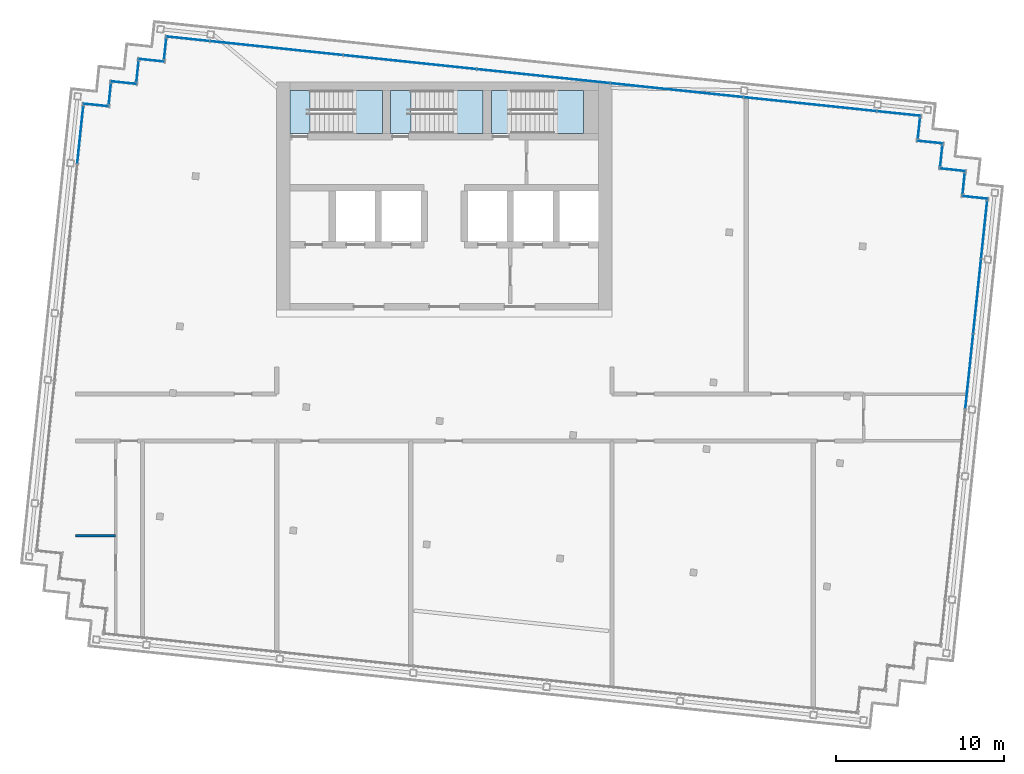
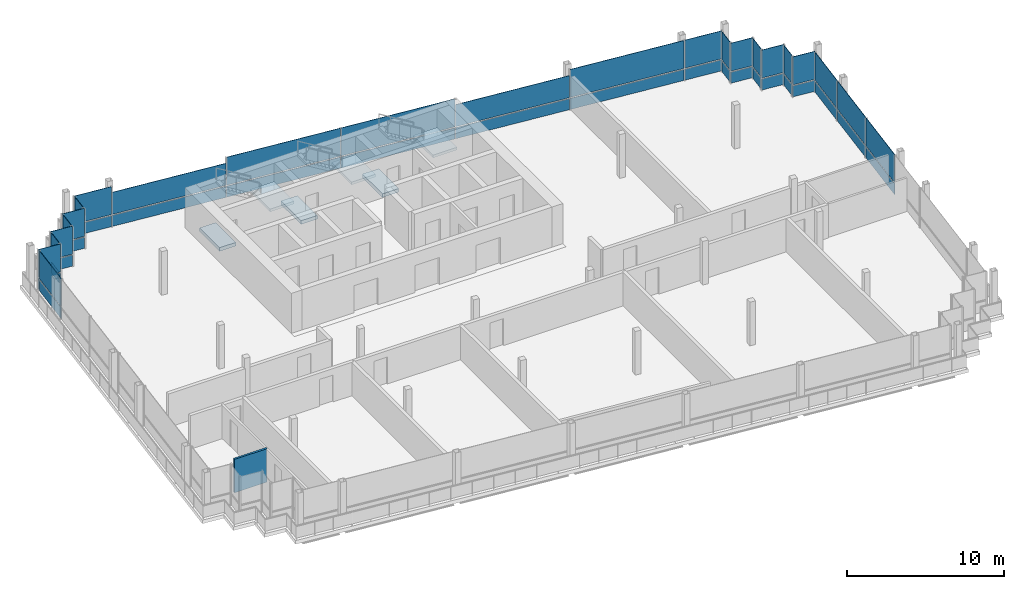
# One storey, part 10 of 15: 46 plates, 6 slabs, 1 wall, 18 elements without a shape of their own.
"""IFC4 building model written with IfcOpenShell, lengths in metres."""

from ifc_helpers import new_model, si_unit, direction, frame, frame_2d, origin, origin_2d, place, context, subcontext, project, spatial, polyline, rectangle, outline, extrude, material, layer, layer_set, type_object, element, aggregate, save


model = new_model("IFC4")

# Units and contexts
model_context = context("Model", 3, precision=1e-05, world=origin(), true_north=direction((0.0, 1.0)))
body_context = subcontext(model_context, "Body", "Model", "MODEL_VIEW")
ifc_project = project(units=[si_unit("LENGTHUNIT", "METRE"), si_unit("AREAUNIT", "SQUARE_METRE"), si_unit("VOLUMEUNIT", "CUBIC_METRE"), si_unit("PLANEANGLEUNIT", "RADIAN"), si_unit("MASSUNIT", "GRAM", prefix="KILO")], contexts=[model_context])

# Site, building, storey
site_placement = place(None, origin())
site = spatial("IfcSite", under=ifc_project, at=site_placement, CompositionType="ELEMENT")
building_placement = place(site_placement, origin())
building = spatial("IfcBuilding", under=site, at=building_placement, Name="Vidyagriha Tower", CompositionType="ELEMENT")
storey_placement = place(building_placement, frame((0.0, 0.0, 294.89990234375)))
storey = spatial("IfcBuildingStorey", under=building, at=storey_placement, Name="L76", CompositionType="ELEMENT", Elevation=294.89990234375)

# Curtain wall, plates
ifc_material_1 = material(Name="Aluminium and glass curtain wall", Category="aluminium")
curtain_wall_type = type_object("IfcCurtainWallType", Name="Lantern glazing wall", PredefinedType="USERDEFINED", material=ifc_material_1)
curtain_wall_1_placement = place(storey_placement, origin())
curtain_wall_1 = element("IfcCurtainWall", 1, at=curtain_wall_1_placement, inside=storey, type_object=curtain_wall_type, Name="CW4 lantern glazing", ObjectType="STICK GLAZING", PredefinedType="USERDEFINED")
ifc_material_2 = material(Name="Glass clear low-iron", Category="glass")
ifc_layer_1 = layer(ifc_material_2, 0.031982421875)
ifc_layer_set_1 = layer_set([ifc_layer_1], Name="Glass clear low-iron")
plate_type = type_object("IfcPlateType", Name="Clear lantern glass panel", PredefinedType="CURTAIN_PANEL", material=ifc_layer_set_1)
plate_1_placement = place(storey_placement, frame((31.64111328125, 13.125244140625, 0.0), z_axis=(0.0, 0.0, 1.0), x_axis=(-0.99452853646, 0.104465258184, 0.0)))
plate_1 = element("IfcPlate", 2, at=plate_1_placement, type_object=plate_type, Name="CW4 panel 1.1", PredefinedType="CURTAIN_PANEL", context=body_context, shape_type="SweptSolid", body=[
    extrude(rectangle(XDim=1.539794921875, YDim=0.031982421875, at=origin_2d()), origin(), (0.0, 0.0, 1.0), 0.860107421875),
])
plate_2_placement = place(storey_placement, frame((31.64111328125, 13.125244140625, 0.93994140625), z_axis=(0.0, 0.0, 1.0), x_axis=(-0.99452853646, 0.104465258184, 0.0)))
plate_2 = element("IfcPlate", 3, at=plate_2_placement, type_object=plate_type, Name="CW4 panel 1.2", PredefinedType="CURTAIN_PANEL", context=body_context, shape_type="SweptSolid", body=[
    extrude(rectangle(XDim=1.539794921875, YDim=0.031982421875, at=origin_2d()), origin(), (0.0, 0.0, 1.0), 2.179931640625),
])
aggregate(curtain_wall_1, [plate_1, plate_2])

curtain_wall_2_placement = place(storey_placement, origin())
curtain_wall_2 = element("IfcCurtainWall", 4, at=curtain_wall_2_placement, inside=storey, type_object=curtain_wall_type, Name="CW4 lantern glazing", ObjectType="STICK GLAZING", PredefinedType="USERDEFINED")
plate_3_placement = place(storey_placement, frame((30.973876953125, 13.949462890625, 0.0), z_axis=(0.0, 0.0, 1.0), x_axis=(0.104475014354, 0.994527511623, 0.0)))
plate_3 = element("IfcPlate", 5, at=plate_3_placement, type_object=plate_type, Name="CW4 panel 1.1", PredefinedType="CURTAIN_PANEL", context=body_context, shape_type="SweptSolid", body=[
    extrude(rectangle(XDim=1.219970703125, YDim=0.031982421875, at=origin_2d()), origin(), (0.0, 0.0, 1.0), 0.860107421875),
])
plate_4_placement = place(storey_placement, frame((30.973876953125, 13.949462890625, 0.93994140625), z_axis=(0.0, 0.0, 1.0), x_axis=(0.104475014354, 0.994527511623, 0.0)))
plate_4 = element("IfcPlate", 6, at=plate_4_placement, type_object=plate_type, Name="CW4 panel 1.2", PredefinedType="CURTAIN_PANEL", context=body_context, shape_type="SweptSolid", body=[
    extrude(rectangle(XDim=1.219970703125, YDim=0.031982421875, at=origin_2d()), origin(), (0.0, 0.0, 1.0), 2.179931640625),
])
aggregate(curtain_wall_2, [plate_3, plate_4])

curtain_wall_3_placement = place(storey_placement, origin())
curtain_wall_3 = element("IfcCurtainWall", 7, at=curtain_wall_3_placement, inside=storey, type_object=curtain_wall_type, Name="CW4 lantern glazing", ObjectType="STICK GLAZING", PredefinedType="USERDEFINED")
plate_5_placement = place(storey_placement, frame((30.30615234375, 14.773681640625, 0.0), z_axis=(0.0, 0.0, 1.0), x_axis=(-0.994522933756, 0.104518583201, 0.0)))
plate_5 = element("IfcPlate", 8, at=plate_5_placement, type_object=plate_type, Name="CW4 panel 1.1", PredefinedType="CURTAIN_PANEL", context=body_context, shape_type="SweptSolid", body=[
    extrude(rectangle(XDim=1.5400390625, YDim=0.031982421875, at=origin_2d()), origin(), (0.0, 0.0, 1.0), 0.860107421875),
])
plate_6_placement = place(storey_placement, frame((30.30615234375, 14.773681640625, 0.93994140625), z_axis=(0.0, 0.0, 1.0), x_axis=(-0.994522933756, 0.104518583201, 0.0)))
plate_6 = element("IfcPlate", 9, at=plate_6_placement, type_object=plate_type, Name="CW4 panel 1.2", PredefinedType="CURTAIN_PANEL", context=body_context, shape_type="SweptSolid", body=[
    extrude(rectangle(XDim=1.5400390625, YDim=0.031982421875, at=origin_2d()), origin(), (0.0, 0.0, 1.0), 2.179931640625),
])
aggregate(curtain_wall_3, [plate_5, plate_6])

curtain_wall_4_placement = place(storey_placement, origin())
curtain_wall_4 = element("IfcCurtainWall", 10, at=curtain_wall_4_placement, inside=storey, type_object=curtain_wall_type, Name="CW4 lantern glazing", ObjectType="STICK GLAZING", PredefinedType="USERDEFINED")
plate_7_placement = place(storey_placement, frame((29.638916015625, 15.59814453125, 0.0), z_axis=(0.0, 0.0, 1.0), x_axis=(0.104556583677, 0.994518939392, 0.0)))
plate_7 = element("IfcPlate", 11, at=plate_7_placement, type_object=plate_type, Name="CW4 panel 1.1", PredefinedType="CURTAIN_PANEL", context=body_context, shape_type="SweptSolid", body=[
    extrude(rectangle(XDim=1.219970703125, YDim=0.031982421875, at=origin_2d()), origin(), (0.0, 0.0, 1.0), 0.860107421875),
])
plate_8_placement = place(storey_placement, frame((29.638916015625, 15.59814453125, 0.93994140625), z_axis=(0.0, 0.0, 1.0), x_axis=(0.104556583677, 0.994518939392, 0.0)))
plate_8 = element("IfcPlate", 12, at=plate_8_placement, type_object=plate_type, Name="CW4 panel 1.2", PredefinedType="CURTAIN_PANEL", context=body_context, shape_type="SweptSolid", body=[
    extrude(rectangle(XDim=1.219970703125, YDim=0.031982421875, at=origin_2d()), origin(), (0.0, 0.0, 1.0), 2.179931640625),
])
aggregate(curtain_wall_4, [plate_7, plate_8])

curtain_wall_5_placement = place(storey_placement, origin())
curtain_wall_5 = element("IfcCurtainWall", 13, at=curtain_wall_5_placement, inside=storey, type_object=curtain_wall_type, Name="CW4 lantern glazing", ObjectType="STICK GLAZING", PredefinedType="USERDEFINED")
plate_9_placement = place(storey_placement, frame((28.97119140625, 16.42236328125, 0.0), z_axis=(0.0, 0.0, 1.0), x_axis=(-0.994522933756, 0.104518583201, 0.0)))
plate_9 = element("IfcPlate", 14, at=plate_9_placement, type_object=plate_type, Name="CW4 panel 1.1", PredefinedType="CURTAIN_PANEL", context=body_context, shape_type="SweptSolid", body=[
    extrude(rectangle(XDim=1.5400390625, YDim=0.031982421875, at=origin_2d()), origin(), (0.0, 0.0, 1.0), 0.860107421875),
])
plate_10_placement = place(storey_placement, frame((28.97119140625, 16.42236328125, 0.93994140625), z_axis=(0.0, 0.0, 1.0), x_axis=(-0.994522933756, 0.104518583201, 0.0)))
plate_10 = element("IfcPlate", 15, at=plate_10_placement, type_object=plate_type, Name="CW4 panel 1.2", PredefinedType="CURTAIN_PANEL", context=body_context, shape_type="SweptSolid", body=[
    extrude(rectangle(XDim=1.5400390625, YDim=0.031982421875, at=origin_2d()), origin(), (0.0, 0.0, 1.0), 2.179931640625),
])
aggregate(curtain_wall_5, [plate_9, plate_10])

curtain_wall_6_placement = place(storey_placement, origin())
curtain_wall_6 = element("IfcCurtainWall", 16, at=curtain_wall_6_placement, inside=storey, type_object=curtain_wall_type, Name="CW4 lantern glazing", ObjectType="STICK GLAZING", PredefinedType="USERDEFINED")
plate_11_placement = place(storey_placement, frame((28.3037109375, 17.24658203125, 0.0), z_axis=(0.0, 0.0, 1.0), x_axis=(0.104556583677, 0.994518939392, 0.0)))
plate_11 = element("IfcPlate", 17, at=plate_11_placement, type_object=plate_type, Name="CW4 panel 1.1", PredefinedType="CURTAIN_PANEL", context=body_context, shape_type="SweptSolid", body=[
    extrude(rectangle(XDim=1.219970703125, YDim=0.031982421875, at=origin_2d()), origin(), (0.0, 0.0, 1.0), 0.860107421875),
])
plate_12_placement = place(storey_placement, frame((28.3037109375, 17.24658203125, 0.93994140625), z_axis=(0.0, 0.0, 1.0), x_axis=(0.104556583677, 0.994518939392, 0.0)))
plate_12 = element("IfcPlate", 18, at=plate_12_placement, type_object=plate_type, Name="CW4 panel 1.2", PredefinedType="CURTAIN_PANEL", context=body_context, shape_type="SweptSolid", body=[
    extrude(rectangle(XDim=1.219970703125, YDim=0.031982421875, at=origin_2d()), origin(), (0.0, 0.0, 1.0), 2.179931640625),
])
aggregate(curtain_wall_6, [plate_11, plate_12])

curtain_wall_7_placement = place(storey_placement, origin())
curtain_wall_7 = element("IfcCurtainWall", 19, at=curtain_wall_7_placement, inside=storey, type_object=curtain_wall_type, Name="CW4 lantern glazing", ObjectType="STICK GLAZING", PredefinedType="USERDEFINED")
plate_13_placement = place(storey_placement, frame((27.114013671875, 18.125732421875, 0.0), z_axis=(0.0, 0.0, 1.0), x_axis=(-0.994521941707, 0.104528022383, 0.0)))
plate_13 = element("IfcPlate", 20, at=plate_13_placement, type_object=plate_type, Name="CW4 panel 1.1", PredefinedType="CURTAIN_PANEL", context=body_context, shape_type="SweptSolid", body=[
    extrude(rectangle(XDim=2.590087890625, YDim=0.031982421875, at=origin_2d()), origin(), (0.0, 0.0, 1.0), 0.860107421875),
])
plate_14_placement = place(storey_placement, frame((27.114013671875, 18.125732421875, 0.93994140625), z_axis=(0.0, 0.0, 1.0), x_axis=(-0.994521941707, 0.104528022383, 0.0)))
plate_14 = element("IfcPlate", 21, at=plate_14_placement, type_object=plate_type, Name="CW4 panel 1.2", PredefinedType="CURTAIN_PANEL", context=body_context, shape_type="SweptSolid", body=[
    extrude(rectangle(XDim=2.590087890625, YDim=0.031982421875, at=origin_2d()), origin(), (0.0, 0.0, 1.0), 2.179931640625),
])
plate_15_placement = place(storey_placement, frame((21.818359375, 18.682373046875, 0.0), z_axis=(0.0, 0.0, 1.0), x_axis=(-0.994521941707, 0.104528022383, 0.0)))
plate_15 = element("IfcPlate", 22, at=plate_15_placement, type_object=plate_type, Name="CW4 panel 2.1", PredefinedType="CURTAIN_PANEL", context=body_context, shape_type="SweptSolid", body=[
    extrude(rectangle(XDim=7.93994140625, YDim=0.031982421875, at=origin_2d()), origin(), (0.0, 0.0, 1.0), 0.860107421875),
])
plate_16_placement = place(storey_placement, frame((21.818359375, 18.682373046875, 0.93994140625), z_axis=(0.0, 0.0, 1.0), x_axis=(-0.994521941707, 0.104528022383, 0.0)))
plate_16 = element("IfcPlate", 23, at=plate_16_placement, type_object=plate_type, Name="CW4 panel 2.2", PredefinedType="CURTAIN_PANEL", context=body_context, shape_type="SweptSolid", body=[
    extrude(rectangle(XDim=7.93994140625, YDim=0.031982421875, at=origin_2d()), origin(), (0.0, 0.0, 1.0), 2.179931640625),
])
plate_17_placement = place(storey_placement, frame((13.862060546875, 19.518798828125, 0.0), z_axis=(0.0, 0.0, 1.0), x_axis=(-0.994521941707, 0.104528022383, 0.0)))
plate_17 = element("IfcPlate", 24, at=plate_17_placement, type_object=plate_type, Name="CW4 panel 3.1", PredefinedType="CURTAIN_PANEL", context=body_context, shape_type="SweptSolid", body=[
    extrude(rectangle(XDim=7.93994140625, YDim=0.031982421875, at=origin_2d()), origin(), (0.0, 0.0, 1.0), 0.860107421875),
])
plate_18_placement = place(storey_placement, frame((13.862060546875, 19.518798828125, 0.940185546875), z_axis=(0.0, 0.0, 1.0), x_axis=(-0.994521941707, 0.104528022383, 0.0)))
plate_18 = element("IfcPlate", 25, at=plate_18_placement, type_object=plate_type, Name="CW4 panel 3.2", PredefinedType="CURTAIN_PANEL", context=body_context, shape_type="SweptSolid", body=[
    extrude(rectangle(XDim=7.93994140625, YDim=0.031982421875, at=origin_2d()), origin(), (0.0, 0.0, 1.0), 1.7177734375),
])
plate_19_placement = place(storey_placement, frame((5.906005859375, 20.35498046875, 0.0), z_axis=(0.0, 0.0, 1.0), x_axis=(-0.994521941707, 0.104528022383, 0.0)))
plate_19 = element("IfcPlate", 26, at=plate_19_placement, type_object=plate_type, Name="CW4 panel 4.1", PredefinedType="CURTAIN_PANEL", context=body_context, shape_type="SweptSolid", body=[
    extrude(rectangle(XDim=7.93994140625, YDim=0.031982421875, at=origin_2d()), origin(), (0.0, 0.0, 1.0), 0.860107421875),
])
plate_20_placement = place(storey_placement, frame((5.906005859375, 20.35498046875, 0.93994140625), z_axis=(0.0, 0.0, 1.0), x_axis=(-0.994521941707, 0.104528022383, 0.0)))
plate_20 = element("IfcPlate", 27, at=plate_20_placement, type_object=plate_type, Name="CW4 panel 4.2", PredefinedType="CURTAIN_PANEL", context=body_context, shape_type="SweptSolid", body=[
    extrude(rectangle(XDim=7.93994140625, YDim=0.031982421875, at=origin_2d()), origin(), (0.0, 0.0, 1.0), 2.179931640625),
])
plate_21_placement = place(storey_placement, frame((-2.05029296875, 21.191162109375, 0.0), z_axis=(0.0, 0.0, 1.0), x_axis=(-0.994521941707, 0.104528022383, 0.0)))
plate_21 = element("IfcPlate", 28, at=plate_21_placement, type_object=plate_type, Name="CW4 panel 5.1", PredefinedType="CURTAIN_PANEL", context=body_context, shape_type="SweptSolid", body=[
    extrude(rectangle(XDim=7.93994140625, YDim=0.031982421875, at=origin_2d()), origin(), (0.0, 0.0, 1.0), 0.860107421875),
])
plate_22_placement = place(storey_placement, frame((-2.05029296875, 21.191162109375, 0.93994140625), z_axis=(0.0, 0.0, 1.0), x_axis=(-0.994521941707, 0.104528022383, 0.0)))
plate_22 = element("IfcPlate", 29, at=plate_22_placement, type_object=plate_type, Name="CW4 panel 5.2", PredefinedType="CURTAIN_PANEL", context=body_context, shape_type="SweptSolid", body=[
    extrude(rectangle(XDim=7.93994140625, YDim=0.031982421875, at=origin_2d()), origin(), (0.0, 0.0, 1.0), 2.179931640625),
])
plate_23_placement = place(storey_placement, frame((-10.00634765625, 22.02734375, 0.0), z_axis=(0.0, 0.0, 1.0), x_axis=(-0.994521941707, 0.104528022383, 0.0)))
plate_23 = element("IfcPlate", 30, at=plate_23_placement, type_object=plate_type, Name="CW4 panel 6.1", PredefinedType="CURTAIN_PANEL", context=body_context, shape_type="SweptSolid", body=[
    extrude(rectangle(XDim=7.93994140625, YDim=0.031982421875, at=origin_2d()), origin(), (0.0, 0.0, 1.0), 0.860107421875),
])
plate_24_placement = place(storey_placement, frame((-10.00634765625, 22.02734375, 0.940185546875), z_axis=(0.0, 0.0, 1.0), x_axis=(-0.994521941707, 0.104528022383, 0.0)))
plate_24 = element("IfcPlate", 31, at=plate_24_placement, type_object=plate_type, Name="CW4 panel 6.2", PredefinedType="CURTAIN_PANEL", context=body_context, shape_type="SweptSolid", body=[
    extrude(rectangle(XDim=7.93994140625, YDim=0.031982421875, at=origin_2d()), origin(), (0.0, 0.0, 1.0), 1.7177734375),
])
plate_25_placement = place(storey_placement, frame((-15.30224609375, 22.583984375, 0.0), z_axis=(0.0, 0.0, 1.0), x_axis=(-0.994521941707, 0.104528022383, 0.0)))
plate_25 = element("IfcPlate", 32, at=plate_25_placement, type_object=plate_type, Name="CW4 panel 7.1", PredefinedType="CURTAIN_PANEL", context=body_context, shape_type="SweptSolid", body=[
    extrude(rectangle(XDim=2.590087890625, YDim=0.031982421875, at=origin_2d()), origin(), (0.0, 0.0, 1.0), 0.860107421875),
])
plate_26_placement = place(storey_placement, frame((-15.30224609375, 22.583984375, 0.93994140625), z_axis=(0.0, 0.0, 1.0), x_axis=(-0.994521941707, 0.104528022383, 0.0)))
plate_26 = element("IfcPlate", 33, at=plate_26_placement, type_object=plate_type, Name="CW4 panel 7.2", PredefinedType="CURTAIN_PANEL", context=body_context, shape_type="SweptSolid", body=[
    extrude(rectangle(XDim=2.590087890625, YDim=0.031982421875, at=origin_2d()), origin(), (0.0, 0.0, 1.0), 2.179931640625),
])
aggregate(curtain_wall_7, [plate_13, plate_14, plate_15, plate_16, plate_17, plate_18, plate_19, plate_20, plate_21, plate_22, plate_23, plate_24, plate_25, plate_26])

curtain_wall_8_placement = place(storey_placement, origin())
curtain_wall_8 = element("IfcCurtainWall", 34, at=curtain_wall_8_placement, inside=storey, type_object=curtain_wall_type, Name="CW4 lantern glazing", ObjectType="STICK GLAZING", PredefinedType="USERDEFINED")
plate_27_placement = place(storey_placement, frame((-16.648681640625, 21.971435546875, 0.0), z_axis=(0.0, 0.0, 1.0), x_axis=(-0.104548823962, -0.994519755162, 0.0)))
plate_27 = element("IfcPlate", 35, at=plate_27_placement, type_object=plate_type, Name="CW4 panel 1.1", PredefinedType="CURTAIN_PANEL", context=body_context, shape_type="SweptSolid", body=[
    extrude(rectangle(XDim=1.219970703125, YDim=0.031982421875, at=origin_2d()), origin(), (0.0, 0.0, 1.0), 0.860107421875),
])
plate_28_placement = place(storey_placement, frame((-16.648681640625, 21.971435546875, 0.93994140625), z_axis=(0.0, 0.0, 1.0), x_axis=(-0.104548823962, -0.994519755162, 0.0)))
plate_28 = element("IfcPlate", 36, at=plate_28_placement, type_object=plate_type, Name="CW4 panel 1.2", PredefinedType="CURTAIN_PANEL", context=body_context, shape_type="SweptSolid", body=[
    extrude(rectangle(XDim=1.219970703125, YDim=0.031982421875, at=origin_2d()), origin(), (0.0, 0.0, 1.0), 2.179931640625),
])
aggregate(curtain_wall_8, [plate_27, plate_28])

curtain_wall_9_placement = place(storey_placement, origin())
curtain_wall_9 = element("IfcCurtainWall", 37, at=curtain_wall_9_placement, inside=storey, type_object=curtain_wall_type, Name="CW4 lantern glazing", ObjectType="STICK GLAZING", PredefinedType="USERDEFINED")
plate_29_placement = place(storey_placement, frame((-17.472900390625, 21.303955078125, 0.0), z_axis=(0.0, 0.0, 1.0), x_axis=(-0.994522933756, 0.104518583201, 0.0)))
plate_29 = element("IfcPlate", 38, at=plate_29_placement, type_object=plate_type, Name="CW4 panel 1.1", PredefinedType="CURTAIN_PANEL", context=body_context, shape_type="SweptSolid", body=[
    extrude(rectangle(XDim=1.5400390625, YDim=0.031982421875, at=origin_2d()), origin(), (0.0, 0.0, 1.0), 0.860107421875),
])
plate_30_placement = place(storey_placement, frame((-17.472900390625, 21.303955078125, 0.93994140625), z_axis=(0.0, 0.0, 1.0), x_axis=(-0.994522933756, 0.104518583201, 0.0)))
plate_30 = element("IfcPlate", 39, at=plate_30_placement, type_object=plate_type, Name="CW4 panel 1.2", PredefinedType="CURTAIN_PANEL", context=body_context, shape_type="SweptSolid", body=[
    extrude(rectangle(XDim=1.5400390625, YDim=0.031982421875, at=origin_2d()), origin(), (0.0, 0.0, 1.0), 2.179931640625),
])
aggregate(curtain_wall_9, [plate_29, plate_30])

curtain_wall_10_placement = place(storey_placement, origin())
curtain_wall_10 = element("IfcCurtainWall", 40, at=curtain_wall_10_placement, inside=storey, type_object=curtain_wall_type, Name="CW4 lantern glazing", ObjectType="STICK GLAZING", PredefinedType="USERDEFINED")
plate_31_placement = place(storey_placement, frame((-18.297119140625, 20.636474609375, 0.0), z_axis=(0.0, 0.0, 1.0), x_axis=(-0.104548823962, -0.994519755162, 0.0)))
plate_31 = element("IfcPlate", 41, at=plate_31_placement, type_object=plate_type, Name="CW4 panel 1.1", PredefinedType="CURTAIN_PANEL", context=body_context, shape_type="SweptSolid", body=[
    extrude(rectangle(XDim=1.219970703125, YDim=0.031982421875, at=origin_2d()), origin(), (0.0, 0.0, 1.0), 0.860107421875),
])
plate_32_placement = place(storey_placement, frame((-18.297119140625, 20.636474609375, 0.93994140625), z_axis=(0.0, 0.0, 1.0), x_axis=(-0.104548823962, -0.994519755162, 0.0)))
plate_32 = element("IfcPlate", 42, at=plate_32_placement, type_object=plate_type, Name="CW4 panel 1.2", PredefinedType="CURTAIN_PANEL", context=body_context, shape_type="SweptSolid", body=[
    extrude(rectangle(XDim=1.219970703125, YDim=0.031982421875, at=origin_2d()), origin(), (0.0, 0.0, 1.0), 2.179931640625),
])
aggregate(curtain_wall_10, [plate_31, plate_32])

curtain_wall_11_placement = place(storey_placement, origin())
curtain_wall_11 = element("IfcCurtainWall", 43, at=curtain_wall_11_placement, inside=storey, type_object=curtain_wall_type, Name="CW4 lantern glazing", ObjectType="STICK GLAZING", PredefinedType="USERDEFINED")
plate_33_placement = place(storey_placement, frame((-19.12158203125, 19.96875, 0.0), z_axis=(0.0, 0.0, 1.0), x_axis=(-0.994523591781, 0.104512321721, 0.0)))
plate_33 = element("IfcPlate", 44, at=plate_33_placement, type_object=plate_type, Name="CW4 panel 1.1", PredefinedType="CURTAIN_PANEL", context=body_context, shape_type="SweptSolid", body=[
    extrude(rectangle(XDim=1.5400390625, YDim=0.031982421875, at=origin_2d()), origin(), (0.0, 0.0, 1.0), 0.860107421875),
])
plate_34_placement = place(storey_placement, frame((-19.12158203125, 19.96875, 0.93994140625), z_axis=(0.0, 0.0, 1.0), x_axis=(-0.994523591781, 0.104512321721, 0.0)))
plate_34 = element("IfcPlate", 45, at=plate_34_placement, type_object=plate_type, Name="CW4 panel 1.2", PredefinedType="CURTAIN_PANEL", context=body_context, shape_type="SweptSolid", body=[
    extrude(rectangle(XDim=1.5400390625, YDim=0.031982421875, at=origin_2d()), origin(), (0.0, 0.0, 1.0), 2.179931640625),
])
aggregate(curtain_wall_11, [plate_33, plate_34])

curtain_wall_12_placement = place(storey_placement, origin())
curtain_wall_12 = element("IfcCurtainWall", 46, at=curtain_wall_12_placement, inside=storey, type_object=curtain_wall_type, Name="CW4 lantern glazing", ObjectType="STICK GLAZING", PredefinedType="USERDEFINED")
plate_35_placement = place(storey_placement, frame((-19.94580078125, 19.301513671875, 0.0), z_axis=(0.0, 0.0, 1.0), x_axis=(-0.10456434453, -0.994518123441, 0.0)))
plate_35 = element("IfcPlate", 47, at=plate_35_placement, type_object=plate_type, Name="CW4 panel 1.1", PredefinedType="CURTAIN_PANEL", context=body_context, shape_type="SweptSolid", body=[
    extrude(rectangle(XDim=1.2197265625, YDim=0.031982421875, at=origin_2d()), origin(), (0.0, 0.0, 1.0), 0.860107421875),
])
plate_36_placement = place(storey_placement, frame((-19.94580078125, 19.301513671875, 0.93994140625), z_axis=(0.0, 0.0, 1.0), x_axis=(-0.10456434453, -0.994518123441, 0.0)))
plate_36 = element("IfcPlate", 48, at=plate_36_placement, type_object=plate_type, Name="CW4 panel 1.2", PredefinedType="CURTAIN_PANEL", context=body_context, shape_type="SweptSolid", body=[
    extrude(rectangle(XDim=1.2197265625, YDim=0.031982421875, at=origin_2d()), origin(), (0.0, 0.0, 1.0), 2.179931640625),
])
aggregate(curtain_wall_12, [plate_35, plate_36])

curtain_wall_13_placement = place(storey_placement, origin())
curtain_wall_13 = element("IfcCurtainWall", 49, at=curtain_wall_13_placement, inside=storey, type_object=curtain_wall_type, Name="CW4 lantern glazing", ObjectType="STICK GLAZING", PredefinedType="USERDEFINED")
plate_37_placement = place(storey_placement, frame((-20.77001953125, 18.634033203125, 0.0), z_axis=(0.0, 0.0, 1.0), x_axis=(-0.994529851134, 0.104452741485, 0.0)))
plate_37 = element("IfcPlate", 50, at=plate_37_placement, type_object=plate_type, Name="CW4 panel 1.1", PredefinedType="CURTAIN_PANEL", context=body_context, shape_type="SweptSolid", body=[
    extrude(rectangle(XDim=1.5400390625, YDim=0.031982421875, at=origin_2d()), origin(), (0.0, 0.0, 1.0), 0.860107421875),
])
plate_38_placement = place(storey_placement, frame((-20.77001953125, 18.634033203125, 0.93994140625), z_axis=(0.0, 0.0, 1.0), x_axis=(-0.994529851134, 0.104452741485, 0.0)))
plate_38 = element("IfcPlate", 51, at=plate_38_placement, type_object=plate_type, Name="CW4 panel 1.2", PredefinedType="CURTAIN_PANEL", context=body_context, shape_type="SweptSolid", body=[
    extrude(rectangle(XDim=1.5400390625, YDim=0.031982421875, at=origin_2d()), origin(), (0.0, 0.0, 1.0), 2.179931640625),
])
aggregate(curtain_wall_13, [plate_37, plate_38])

curtain_wall_14_placement = place(storey_placement, origin())
curtain_wall_14 = element("IfcCurtainWall", 52, at=curtain_wall_14_placement, inside=storey, type_object=curtain_wall_type, Name="CW4 lantern glazing", ObjectType="STICK GLAZING", PredefinedType="USERDEFINED")
plate_39_placement = place(storey_placement, frame((-21.7099609375, 16.867431640625, 0.0), z_axis=(0.0, 0.0, 1.0), x_axis=(-0.104527289697, -0.994522018715, 0.0)))
plate_39 = element("IfcPlate", 53, at=plate_39_placement, type_object=plate_type, Name="CW4 panel 1.1", PredefinedType="CURTAIN_PANEL", context=body_context, shape_type="SweptSolid", body=[
    extrude(rectangle(XDim=3.429931640625, YDim=0.031982421875, at=origin_2d()), origin(), (0.0, 0.0, 1.0), 0.860107421875),
])
plate_40_placement = place(storey_placement, frame((-21.7099609375, 16.867431640625, 0.93994140625), z_axis=(0.0, 0.0, 1.0), x_axis=(-0.104527289697, -0.994522018715, 0.0)))
plate_40 = element("IfcPlate", 54, at=plate_40_placement, type_object=plate_type, Name="CW4 panel 1.2", PredefinedType="CURTAIN_PANEL", context=body_context, shape_type="SweptSolid", body=[
    extrude(rectangle(XDim=3.429931640625, YDim=0.031982421875, at=origin_2d()), origin(), (0.0, 0.0, 1.0), 2.179931640625),
])
aggregate(curtain_wall_14, [plate_39, plate_40])

curtain_wall_15_placement = place(storey_placement, origin())
curtain_wall_15 = element("IfcCurtainWall", 55, at=curtain_wall_15_placement, inside=storey, type_object=curtain_wall_type, Name="CW4 lantern glazing", ObjectType="STICK GLAZING", PredefinedType="USERDEFINED")
plate_41_placement = place(storey_placement, frame((31.30517578125, 2.75341796875, 0.0), z_axis=(0.0, 0.0, 1.0), x_axis=(0.104526899479, 0.994522059728, 0.0)))
plate_41 = element("IfcPlate", 56, at=plate_41_placement, type_object=plate_type, Name="CW4 panel 4.1", PredefinedType="CURTAIN_PANEL", context=body_context, shape_type="SweptSolid", body=[
    extrude(rectangle(XDim=4.43994140625, YDim=0.031982421875, at=origin_2d()), origin(), (0.0, 0.0, 1.0), 0.860107421875),
])
plate_42_placement = place(storey_placement, frame((31.30517578125, 2.75341796875, 0.93994140625), z_axis=(0.0, 0.0, 1.0), x_axis=(0.104526899479, 0.994522059728, 0.0)))
plate_42 = element("IfcPlate", 57, at=plate_42_placement, type_object=plate_type, Name="CW4 panel 4.2", PredefinedType="CURTAIN_PANEL", context=body_context, shape_type="SweptSolid", body=[
    extrude(rectangle(XDim=4.43994140625, YDim=0.031982421875, at=origin_2d()), origin(), (0.0, 0.0, 1.0), 2.179931640625),
])
plate_43_placement = place(storey_placement, frame((31.775634765625, 7.22900390625, 0.0), z_axis=(0.0, 0.0, 1.0), x_axis=(0.104526899479, 0.994522059728, 0.0)))
plate_43 = element("IfcPlate", 58, at=plate_43_placement, type_object=plate_type, Name="CW4 panel 5.1", PredefinedType="CURTAIN_PANEL", context=body_context, shape_type="SweptSolid", body=[
    extrude(rectangle(XDim=4.43994140625, YDim=0.031982421875, at=origin_2d()), origin(), (0.0, 0.0, 1.0), 0.860107421875),
])
plate_44_placement = place(storey_placement, frame((31.775634765625, 7.22900390625, 0.93994140625), z_axis=(0.0, 0.0, 1.0), x_axis=(0.104526899479, 0.994522059728, 0.0)))
plate_44 = element("IfcPlate", 59, at=plate_44_placement, type_object=plate_type, Name="CW4 panel 5.2", PredefinedType="CURTAIN_PANEL", context=body_context, shape_type="SweptSolid", body=[
    extrude(rectangle(XDim=4.43994140625, YDim=0.031982421875, at=origin_2d()), origin(), (0.0, 0.0, 1.0), 2.179931640625),
])
plate_45_placement = place(storey_placement, frame((32.193115234375, 11.201904296875, 0.0), z_axis=(0.0, 0.0, 1.0), x_axis=(0.104526899479, 0.994522059728, 0.0)))
plate_45 = element("IfcPlate", 60, at=plate_45_placement, type_object=plate_type, Name="CW4 panel 6.1", PredefinedType="CURTAIN_PANEL", context=body_context, shape_type="SweptSolid", body=[
    extrude(rectangle(XDim=3.43017578125, YDim=0.031982421875, at=origin_2d()), origin(), (0.0, 0.0, 1.0), 0.860107421875),
])
plate_46_placement = place(storey_placement, frame((32.193115234375, 11.201904296875, 0.93994140625), z_axis=(0.0, 0.0, 1.0), x_axis=(0.104526899479, 0.994522059728, 0.0)))
plate_46 = element("IfcPlate", 61, at=plate_46_placement, type_object=plate_type, Name="CW4 panel 6.2", PredefinedType="CURTAIN_PANEL", context=body_context, shape_type="SweptSolid", body=[
    extrude(rectangle(XDim=3.43017578125, YDim=0.031982421875, at=origin_2d()), origin(), (0.0, 0.0, 1.0), 2.179931640625),
])
aggregate(curtain_wall_15, [plate_41, plate_42, plate_43, plate_44, plate_45, plate_46])

# Slabs
ifc_material_3 = material(Name="Concrete C40/50", Category="concrete")
ifc_layer_2 = layer(ifc_material_3, 0.280029296875)
ifc_layer_set_2 = layer_set([ifc_layer_2], Name="Concrete C40/50")
slab_type_1 = type_object("IfcSlabType", Name="Exit stair floor landing 280 mm", PredefinedType="LANDING", material=ifc_layer_set_2)
slab_1_placement = place(storey_placement, frame((0.0, 0.0, -0.27978515625)))
element("IfcSlab", 62, at=slab_1_placement, inside=storey, type_object=slab_type_1, Name="ST1 floor landing L76", PredefinedType="LANDING", context=body_context, shape_type="SweptSolid", body=[
    extrude(outline(polyline([(-9.199951171875, 16.949951171875), (-8.0, 16.949951171875), (-8.0, 19.5), (-9.199951171875, 19.5), (-9.199951171875, 16.949951171875)])), origin(), (0.0, 0.0, 1.0), 0.27978515625),
])
slab_2_placement = place(storey_placement, frame((0.0, 0.0, -0.27978515625)))
element("IfcSlab", 63, at=slab_2_placement, inside=storey, type_object=slab_type_1, Name="ST2 floor landing L76", PredefinedType="LANDING", context=body_context, shape_type="SweptSolid", body=[
    extrude(outline(polyline([(-3.199951171875, 16.949951171875), (-2.0, 16.949951171875), (-2.0, 19.5), (-3.199951171875, 19.5), (-3.199951171875, 16.949951171875)])), origin(), (0.0, 0.0, 1.0), 0.27978515625),
])
slab_3_placement = place(storey_placement, frame((0.0, 0.0, -0.27978515625)))
element("IfcSlab", 64, at=slab_3_placement, inside=storey, type_object=slab_type_1, Name="ST3 floor landing L76", PredefinedType="LANDING", context=body_context, shape_type="SweptSolid", body=[
    extrude(outline(polyline([(2.800048828125, 16.949951171875), (4.0, 16.949951171875), (4.0, 19.5), (2.800048828125, 19.5), (2.800048828125, 16.949951171875)])), origin(), (0.0, 0.0, 1.0), 0.27978515625),
])

# Stair, slab
ifc_material_4 = material(Name="Concrete C40/50", Category="concrete")
stair_type = type_object("IfcStairType", Name="Exit stair, half-turn, precast flights", PredefinedType="HALF_TURN_STAIR", material=ifc_material_4)
stair_1_placement = place(storey_placement, origin())
stair_1 = element("IfcStair", 65, at=stair_1_placement, inside=storey, type_object=stair_type, Name="L76 Exit Stair ST1", PredefinedType="HALF_TURN_STAIR")
ifc_material_5 = material(Name="Concrete C40/50", Category="concrete")
ifc_layer_3 = layer(ifc_material_5, 0.199951171875)
ifc_layer_set_3 = layer_set([ifc_layer_3], Name="Concrete C40/50")
slab_type_2 = type_object("IfcSlabType", Name="Exit stair landing 200 mm", PredefinedType="LANDING", material=ifc_layer_set_3)
slab_4_placement = place(storey_placement, frame((0.0, 0.0, 1.5)))
slab_4 = element("IfcSlab", 66, at=slab_4_placement, type_object=slab_type_2, Name="ST1 landing 1", PredefinedType="LANDING", context=body_context, shape_type="SweptSolid", body=[
    extrude(outline(polyline([(-5.47998046875, 16.949951171875), (-3.699951171875, 16.949951171875), (-3.699951171875, 19.5), (-5.47998046875, 19.5), (-5.47998046875, 16.949951171875)])), origin(), (0.0, 0.0, 1.0), 0.2001953125),
])
aggregate(stair_1, [slab_4])

stair_2_placement = place(storey_placement, origin())
stair_2 = element("IfcStair", 67, at=stair_2_placement, inside=storey, type_object=stair_type, Name="L76 Exit Stair ST2", PredefinedType="HALF_TURN_STAIR")
slab_5_placement = place(storey_placement, frame((0.0, 0.0, 1.5)))
slab_5 = element("IfcSlab", 68, at=slab_5_placement, type_object=slab_type_2, Name="ST2 landing 1", PredefinedType="LANDING", context=body_context, shape_type="SweptSolid", body=[
    extrude(outline(polyline([(0.52001953125, 16.949951171875), (2.300048828125, 16.949951171875), (2.300048828125, 19.5), (0.52001953125, 19.5), (0.52001953125, 16.949951171875)])), origin(), (0.0, 0.0, 1.0), 0.2001953125),
])
aggregate(stair_2, [slab_5])

stair_3_placement = place(storey_placement, origin())
stair_3 = element("IfcStair", 69, at=stair_3_placement, inside=storey, type_object=stair_type, Name="L76 Exit Stair ST3", PredefinedType="HALF_TURN_STAIR")
slab_6_placement = place(storey_placement, frame((0.0, 0.0, 1.5)))
slab_6 = element("IfcSlab", 70, at=slab_6_placement, type_object=slab_type_2, Name="ST3 landing 1", PredefinedType="LANDING", context=body_context, shape_type="SweptSolid", body=[
    extrude(outline(polyline([(6.52001953125, 16.949951171875), (8.300048828125, 16.949951171875), (8.300048828125, 19.5), (6.52001953125, 19.5), (6.52001953125, 16.949951171875)])), origin(), (0.0, 0.0, 1.0), 0.2001953125),
])
aggregate(stair_3, [slab_6])

# Wall
ifc_material_6 = material(Name="Gypsum board partition")
ifc_layer_4 = layer(ifc_material_6, 0.14990234375)
ifc_layer_set_4 = layer_set([ifc_layer_4], Name="Gypsum board partition")
wall_type = type_object("IfcWallType", Name="Gypsum board partition 150", PredefinedType="PARTITIONING", material=ifc_layer_set_4)
wall_placement = place(storey_placement, frame((-19.60009765625, -7.061279296875, 0.0), z_axis=(0.0, 0.0, 1.0), x_axis=(-1.0, 0.0, 0.0)))
element("IfcWall", 71, at=wall_placement, inside=storey, type_object=wall_type, Name="Wall all-L76-w005", PredefinedType="PARTITIONING", context=body_context, shape_type="SweptSolid", body=[
    extrude(rectangle(XDim=2.39990234375, YDim=0.14990234375, at=frame_2d((1.199951171875, 0.0))), origin(), (0.0, 0.0, 1.0), 2.60009765625),
])

save(model, "model.ifc")
